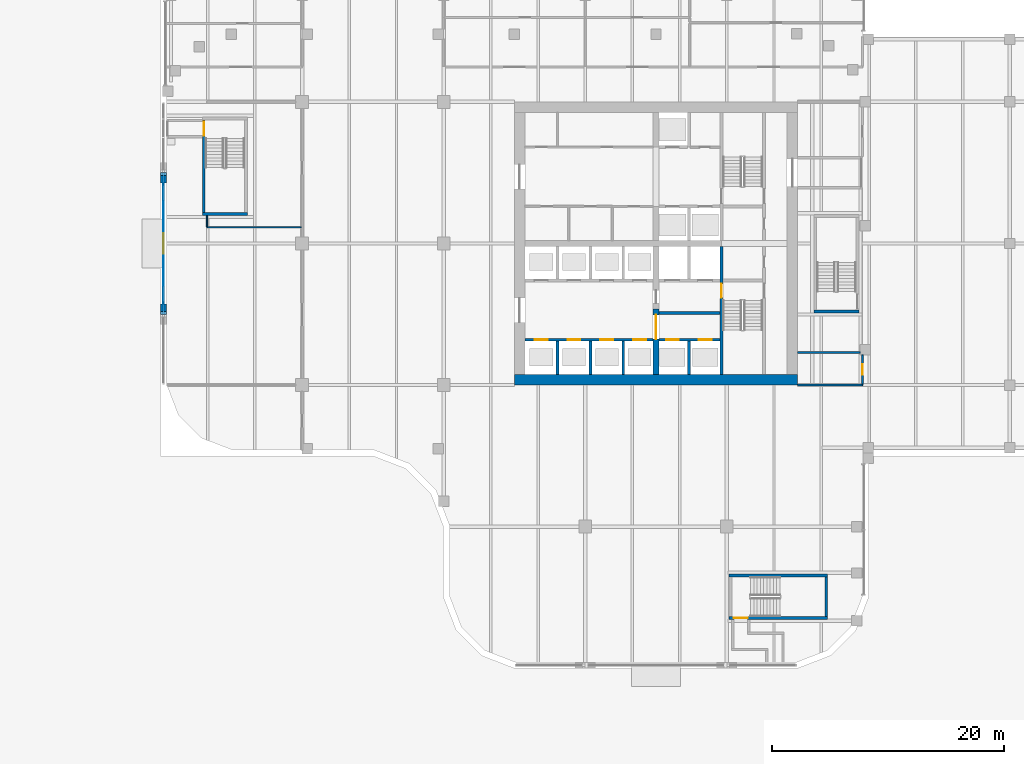
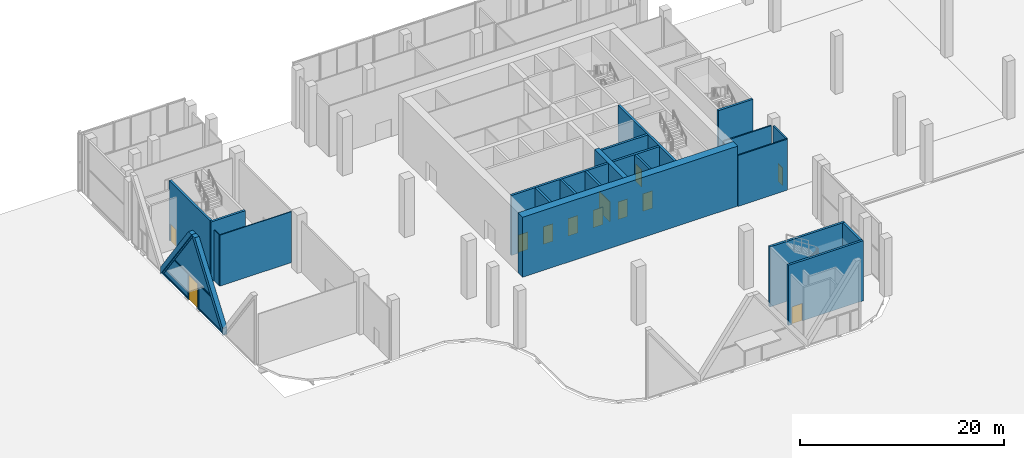
# One storey, part 18 of 36: 24 walls, 12 doors, 3 plates, 15 openings.
"""IFC4 building model written with IfcOpenShell, lengths in metres."""

from ifc_helpers import new_model, si_unit, direction, frame, frame_2d, origin, place, context, subcontext, project, spatial, polyline, rectangle, outline, extrude, faceted_brep, source, transform, mapped, material, layer, layer_set, type_object, element, fill, save


model = new_model("IFC4")

# Units and contexts
model_context = context("Model", 3, precision=1e-05, world=origin(), true_north=direction((0.0, 1.0)))
body_context = subcontext(model_context, "Body", "Model", "MODEL_VIEW")
ifc_project = project(units=[si_unit("LENGTHUNIT", "METRE"), si_unit("AREAUNIT", "SQUARE_METRE"), si_unit("VOLUMEUNIT", "CUBIC_METRE"), si_unit("PLANEANGLEUNIT", "RADIAN"), si_unit("MASSUNIT", "GRAM", prefix="KILO")], contexts=[model_context])

# Site, building, storey
site_placement = place(None, origin())
site = spatial("IfcSite", under=ifc_project, at=site_placement, CompositionType="ELEMENT")
building_placement = place(site_placement, origin())
building = spatial("IfcBuilding", under=site, at=building_placement, Name="Tessera Gate Towers", CompositionType="ELEMENT")
storey_placement = place(building_placement, origin())
storey = spatial("IfcBuildingStorey", under=building, at=storey_placement, Name="L00", CompositionType="ELEMENT", Elevation=0.0)

# Wall, opening, door
ifc_material_1 = material(Name="Concrete C40/50", Category="concrete")
ifc_layer_1 = layer(ifc_material_1, 0.25)
ifc_layer_set_1 = layer_set([ifc_layer_1], Name="CORE ENCLOSURE WALL 250")
wall_type_1 = type_object("IfcWallType", Name="CORE ENCLOSURE WALL 250", PredefinedType="SOLIDWALL", material=ifc_layer_set_1)
wall_1_placement = place(storey_placement, frame((48.35009765625, 36.35009765625, 0.0), z_axis=(0.0, 0.0, 1.0), x_axis=(0.0, -1.0, 0.0)))
wall_1 = element("IfcWall", 1, at=wall_1_placement, inside=storey, type_object=wall_type_1, Name="L00 shaft and stair enclosure wall", PredefinedType="SOLIDWALL", context=body_context, shape_type="SweptSolid", body=[
    extrude(rectangle(XDim=11.050048828125, YDim=0.25, at=frame_2d((5.52490234375, 0.0))), origin(), (0.0, 0.0, 1.0), 7.199951171875),
])
shared_shape_1 = source(origin(), body_context, "Body", "SweptSolid", [
    extrude(rectangle(XDim=1.199951171875, YDim=2.10009765625, at=frame_2d((0.60009765625, 1.050048828125))), frame((0.0, 0.135009765625, 0.0), z_axis=(0.0, -1.0, 0.0), x_axis=(1.0, 0.0, 0.0)), (0.0, 0.0, 1.0), 0.27001953125),
])
opening_1_placement = place(wall_1_placement, frame((3.22509765625, 0.0, 0.0)))
opening_1 = element("IfcOpeningElement", 2, at=opening_1_placement, cuts=wall_1, Name="Opening SD-ST1-1", PredefinedType="OPENING", context=body_context, shape_type="MappedRepresentation", body=[
    mapped(shared_shape_1, transform((0.0, 0.0, 0.0), scale=1.0)),
])
ifc_material_2 = material(Name="Hollow steel fire door", Category="steel")
door_type_1 = type_object("IfcDoorType", Name="CORE DOOR SD 1200x2100", OperationType="NOTDEFINED", PredefinedType="DOOR", material=ifc_material_2)
shared_shape_2 = source(origin(), body_context, "Body", "SweptSolid", [
    extrude(rectangle(XDim=1.199951171875, YDim=2.10009765625, at=frame_2d((0.60009765625, 1.050048828125))), frame((0.0, 0.02490234375, 0.0), z_axis=(0.0, -1.0, 0.0), x_axis=(1.0, 0.0, 0.0)), (0.0, 0.0, 1.0), 0.050048828125),
])
door_1_placement = place(opening_1_placement, origin())
door_1 = element("IfcDoor", 3, at=door_1_placement, inside=storey, type_object=door_type_1, Name="Stair door", OperationType="SINGLE_SWING_LEFT", OverallHeight=2.10009765625, OverallWidth=1.199951171875, PredefinedType="DOOR", context=body_context, shape_type="MappedRepresentation", body=[
    mapped(shared_shape_2, transform((0.0, 0.0, 0.0), scale=1.0)),
])
fill(opening_1, door_1)

# Wall, openings, doors
wall_2_placement = place(storey_placement, frame((31.39990234375, 28.300048828125, 0.0), z_axis=(0.0, 0.0, 1.0), x_axis=(1.0, 0.0, 0.0)))
wall_2 = element("IfcWall", 4, at=wall_2_placement, inside=storey, type_object=wall_type_1, Name="L00 shaft and stair enclosure wall", PredefinedType="SOLIDWALL", context=body_context, shape_type="SweptSolid", body=[
    extrude(rectangle(XDim=11.050048828125, YDim=0.25, at=frame_2d((5.52490234375, 0.0))), origin(), (0.0, 0.0, 1.0), 7.199951171875),
])
shared_shape_3 = source(origin(), body_context, "Body", "SweptSolid", [
    extrude(rectangle(XDim=1.10009765625, YDim=2.10009765625, at=frame_2d((0.550048828125, 1.050048828125))), frame((0.0, 0.135009765625, 0.0), z_axis=(0.0, -1.0, 0.0), x_axis=(1.0, 0.0, 0.0)), (0.0, 0.0, 1.0), 0.27001953125),
])
opening_2_placement = place(wall_2_placement, frame((0.862548828125, 0.0, 0.0)))
opening_2 = element("IfcOpeningElement", 5, at=opening_2_placement, cuts=wall_2, Name="Opening LD-LR1", PredefinedType="OPENING", context=body_context, shape_type="MappedRepresentation", body=[
    mapped(shared_shape_3, transform((0.0, 0.0, 0.0), scale=1.0)),
])
opening_3_placement = place(wall_2_placement, frame((3.6875, 0.0, 0.0)))
opening_3 = element("IfcOpeningElement", 6, at=opening_3_placement, cuts=wall_2, Name="Opening LD-LR2", PredefinedType="OPENING", context=body_context, shape_type="MappedRepresentation", body=[
    mapped(shared_shape_3, transform((0.0, 0.0, 0.0), scale=1.0)),
])
opening_4_placement = place(wall_2_placement, frame((6.512451171875, 0.0, 0.0)))
opening_4 = element("IfcOpeningElement", 7, at=opening_4_placement, cuts=wall_2, Name="Opening LD-LR3", PredefinedType="OPENING", context=body_context, shape_type="MappedRepresentation", body=[
    mapped(shared_shape_3, transform((0.0, 0.0, 0.0), scale=1.0)),
])
opening_5_placement = place(wall_2_placement, frame((9.33740234375, 0.0, 0.0)))
opening_5 = element("IfcOpeningElement", 8, at=opening_5_placement, cuts=wall_2, Name="Opening LD-LR4", PredefinedType="OPENING", context=body_context, shape_type="MappedRepresentation", body=[
    mapped(shared_shape_3, transform((0.0, 0.0, 0.0), scale=1.0)),
])
ifc_material_3 = material(Name="Stainless steel", Category="steel")
door_type_2 = type_object("IfcDoorType", Name="CORE DOOR LD 1100x2100", OperationType="DOUBLE_DOOR_SLIDING", PredefinedType="DOOR", material=ifc_material_3)
shared_shape_4 = source(origin(), body_context, "Body", "SweptSolid", [
    extrude(rectangle(XDim=1.10009765625, YDim=2.10009765625, at=frame_2d((0.550048828125, 1.050048828125))), frame((0.0, 0.02490234375, 0.0), z_axis=(0.0, -1.0, 0.0), x_axis=(1.0, 0.0, 0.0)), (0.0, 0.0, 1.0), 0.050048828125),
])
door_2_placement = place(opening_2_placement, origin())
door_2 = element("IfcDoor", 9, at=door_2_placement, inside=storey, type_object=door_type_2, Name="Landing door LR1 L00", OperationType="DOUBLE_DOOR_SLIDING", OverallHeight=2.10009765625, OverallWidth=1.10009765625, PredefinedType="DOOR", context=body_context, shape_type="MappedRepresentation", body=[
    mapped(shared_shape_4, transform((0.0, 0.0, 0.0), scale=1.0)),
])
fill(opening_2, door_2)
door_3_placement = place(opening_3_placement, origin())
door_3 = element("IfcDoor", 10, at=door_3_placement, inside=storey, type_object=door_type_2, Name="Landing door LR2 L00", OperationType="DOUBLE_DOOR_SLIDING", OverallHeight=2.10009765625, OverallWidth=1.10009765625, PredefinedType="DOOR", context=body_context, shape_type="MappedRepresentation", body=[
    mapped(shared_shape_4, transform((0.0, 0.0, 0.0), scale=1.0)),
])
fill(opening_3, door_3)
door_4_placement = place(opening_4_placement, origin())
door_4 = element("IfcDoor", 11, at=door_4_placement, inside=storey, type_object=door_type_2, Name="Landing door LR3 L00", OperationType="DOUBLE_DOOR_SLIDING", OverallHeight=2.10009765625, OverallWidth=1.10009765625, PredefinedType="DOOR", context=body_context, shape_type="MappedRepresentation", body=[
    mapped(shared_shape_4, transform((0.0, 0.0, 0.0), scale=1.0)),
])
fill(opening_4, door_4)
door_5_placement = place(opening_5_placement, origin())
door_5 = element("IfcDoor", 12, at=door_5_placement, inside=storey, type_object=door_type_2, Name="Landing door LR4 L00", OperationType="DOUBLE_DOOR_SLIDING", OverallHeight=2.10009765625, OverallWidth=1.10009765625, PredefinedType="DOOR", context=body_context, shape_type="MappedRepresentation", body=[
    mapped(shared_shape_4, transform((0.0, 0.0, 0.0), scale=1.0)),
])
fill(opening_5, door_5)

wall_3_placement = place(storey_placement, frame((42.949951171875, 28.300048828125, 0.0), z_axis=(0.0, 0.0, 1.0), x_axis=(1.0, 0.0, 0.0)))
wall_3 = element("IfcWall", 13, at=wall_3_placement, inside=storey, type_object=wall_type_1, Name="L00 shaft and stair enclosure wall", PredefinedType="SOLIDWALL", context=body_context, shape_type="SweptSolid", body=[
    extrude(rectangle(XDim=5.275146484375, YDim=0.25, at=frame_2d((2.6376953125, 0.0))), origin(), (0.0, 0.0, 1.0), 7.199951171875),
])
opening_6_placement = place(wall_3_placement, frame((0.612548828125, 0.0, 0.0)))
opening_6 = element("IfcOpeningElement", 14, at=opening_6_placement, cuts=wall_3, Name="Opening LD-OB1", PredefinedType="OPENING", context=body_context, shape_type="MappedRepresentation", body=[
    mapped(shared_shape_3, transform((0.0, 0.0, 0.0), scale=1.0)),
])
opening_7_placement = place(wall_3_placement, frame((3.4375, 0.0, 0.0)))
opening_7 = element("IfcOpeningElement", 15, at=opening_7_placement, cuts=wall_3, Name="Opening LD-OB2", PredefinedType="OPENING", context=body_context, shape_type="MappedRepresentation", body=[
    mapped(shared_shape_3, transform((0.0, 0.0, 0.0), scale=1.0)),
])
door_6_placement = place(opening_6_placement, origin())
door_6 = element("IfcDoor", 16, at=door_6_placement, inside=storey, type_object=door_type_2, Name="Landing door OB1 L00", OperationType="DOUBLE_DOOR_SLIDING", OverallHeight=2.10009765625, OverallWidth=1.10009765625, PredefinedType="DOOR", context=body_context, shape_type="MappedRepresentation", body=[
    mapped(shared_shape_4, transform((0.0, 0.0, 0.0), scale=1.0)),
])
fill(opening_6, door_6)
door_7_placement = place(opening_7_placement, origin())
door_7 = element("IfcDoor", 17, at=door_7_placement, inside=storey, type_object=door_type_2, Name="Landing door OB2 L00", OperationType="DOUBLE_DOOR_SLIDING", OverallHeight=2.10009765625, OverallWidth=1.10009765625, PredefinedType="DOOR", context=body_context, shape_type="MappedRepresentation", body=[
    mapped(shared_shape_4, transform((0.0, 0.0, 0.0), scale=1.0)),
])
fill(opening_7, door_7)

# Walls
wall_4_placement = place(storey_placement, frame((42.949951171875, 30.60009765625, 0.0), z_axis=(0.0, 0.0, 1.0), x_axis=(1.0, 0.0, 0.0)))
element("IfcWall", 18, at=wall_4_placement, inside=storey, type_object=wall_type_1, Name="L00 shaft and stair enclosure wall", PredefinedType="SOLIDWALL", context=body_context, shape_type="SweptSolid", body=[
    extrude(rectangle(XDim=5.275146484375, YDim=0.25, at=frame_2d((2.6376953125, 0.0))), origin(), (0.0, 0.0, 1.0), 7.199951171875),
])
for number, where, z_axis, x_axis, name in (
    (19, (34.22509765625, 25.300048828125, 0.0), (0.0, 0.0, 1.0), (0.0, 1.0, 0.0), "L00 shaft and stair enclosure wall"),
    (20, (37.050048828125, 25.300048828125, 0.0), (0.0, 0.0, 1.0), (0.0, 1.0, 0.0), "L00 shaft and stair enclosure wall"),
    (21, (39.875, 25.300048828125, 0.0), (0.0, 0.0, 1.0), (0.0, 1.0, 0.0), "L00 shaft and stair enclosure wall"),
    (22, (45.52490234375, 25.300048828125, 0.0), (0.0, 0.0, 1.0), (0.0, 1.0, 0.0), "L00 shaft and stair enclosure wall"),
):
    element("IfcWall", number, at=place(storey_placement, frame(where, z_axis=z_axis, x_axis=x_axis)), inside=storey, type_object=wall_type_1, Name=name, PredefinedType="SOLIDWALL", context=body_context, shape_type="SweptSolid", body=[
        extrude(rectangle(XDim=2.875, YDim=0.25, at=frame_2d((1.4375, 0.0))), origin(), (0.0, 0.0, 1.0), 7.199951171875),
    ])
wall_5_placement = place(storey_placement, frame((7.5, 39.125, 0.0), z_axis=(0.0, 0.0, 1.0), x_axis=(-1.0, 0.0, 0.0)))
element("IfcWall", 23, at=wall_5_placement, inside=storey, type_object=wall_type_1, Name="L00 ST3 enclosure wall", PredefinedType="SOLIDWALL", context=body_context, shape_type="SweptSolid", body=[
    extrude(rectangle(XDim=3.89990234375, YDim=0.25, at=frame_2d((1.949951171875, 0.0))), origin(), (0.0, 0.0, 1.0), 7.199951171875),
])

# Wall, opening, door
wall_6_placement = place(storey_placement, frame((3.72509765625, 39.25, 0.0), z_axis=(0.0, 0.0, 1.0), x_axis=(0.0, 1.0, 0.0)))
wall_6 = element("IfcWall", 24, at=wall_6_placement, inside=storey, type_object=wall_type_1, Name="L00 ST3 enclosure wall", PredefinedType="SOLIDWALL", context=body_context, shape_type="SweptSolid", body=[
    extrude(rectangle(XDim=8.0, YDim=0.25, at=frame_2d((4.0, 0.0))), origin(), (0.0, 0.0, 1.0), 7.199951171875),
])
opening_8_placement = place(wall_6_placement, frame((6.64990234375, 0.0, 0.0)))
opening_8 = element("IfcOpeningElement", 25, at=opening_8_placement, cuts=wall_6, Name="Opening SD-ST3-1", PredefinedType="OPENING", context=body_context, shape_type="MappedRepresentation", body=[
    mapped(shared_shape_1, transform((0.0, 0.0, 0.0), scale=1.0)),
])
door_8_placement = place(opening_8_placement, origin())
door_8 = element("IfcDoor", 26, at=door_8_placement, inside=storey, type_object=door_type_1, Name="Stair door", OperationType="SINGLE_SWING_RIGHT", OverallHeight=2.10009765625, OverallWidth=1.199951171875, PredefinedType="DOOR", context=body_context, shape_type="MappedRepresentation", body=[
    mapped(shared_shape_2, transform((0.0, 0.0, 0.0), scale=1.0)),
])
fill(opening_8, door_8)

wall_7_placement = place(storey_placement, frame((57.5, 4.324951171875, 0.0), z_axis=(0.0, 0.0, 1.0), x_axis=(-1.0, 0.0, 0.0)))
wall_7 = element("IfcWall", 27, at=wall_7_placement, inside=storey, type_object=wall_type_1, Name="L00 ST4 enclosure wall", PredefinedType="SOLIDWALL", context=body_context, shape_type="SweptSolid", body=[
    extrude(rectangle(XDim=8.5, YDim=0.25, at=frame_2d((4.25, 0.0))), origin(), (0.0, 0.0, 1.0), 7.199951171875),
])
opening_9_placement = place(wall_7_placement, frame((6.89990234375, 0.0, 0.0)))
opening_9 = element("IfcOpeningElement", 28, at=opening_9_placement, cuts=wall_7, Name="Opening SD-ST4-1", PredefinedType="OPENING", context=body_context, shape_type="MappedRepresentation", body=[
    mapped(shared_shape_1, transform((0.0, 0.0, 0.0), scale=1.0)),
])
door_9_placement = place(opening_9_placement, origin())
door_9 = element("IfcDoor", 29, at=door_9_placement, inside=storey, type_object=door_type_1, Name="Stair door", OperationType="SINGLE_SWING_RIGHT", OverallHeight=2.10009765625, OverallWidth=1.199951171875, PredefinedType="DOOR", context=body_context, shape_type="MappedRepresentation", body=[
    mapped(shared_shape_2, transform((0.0, 0.0, 0.0), scale=1.0)),
])
fill(opening_9, door_9)

# Walls
wall_8_placement = place(storey_placement, frame((49.0, 7.97509765625, 0.0), z_axis=(0.0, 0.0, 1.0), x_axis=(1.0, 0.0, 0.0)))
element("IfcWall", 30, at=wall_8_placement, inside=storey, type_object=wall_type_1, Name="L00 ST4 enclosure wall", PredefinedType="SOLIDWALL", context=body_context, shape_type="SweptSolid", body=[
    extrude(rectangle(XDim=8.5, YDim=0.25, at=frame_2d((4.25, 0.0))), origin(), (0.0, 0.0, 1.0), 7.199951171875),
])
wall_9_placement = place(storey_placement, frame((57.375, 7.85009765625, 0.0), z_axis=(0.0, 0.0, 1.0), x_axis=(0.0, -1.0, 0.0)))
element("IfcWall", 31, at=wall_9_placement, inside=storey, type_object=wall_type_1, Name="L00 ST4 enclosure wall", PredefinedType="SOLIDWALL", context=body_context, shape_type="SweptSolid", body=[
    extrude(rectangle(XDim=3.400146484375, YDim=0.25, at=frame_2d((1.7001953125, 0.0))), origin(), (0.0, 0.0, 1.0), 7.199951171875),
])
wall_10_placement = place(storey_placement, frame((60.199951171875, 30.72509765625, 0.0), z_axis=(0.0, 0.0, 1.0), x_axis=(-1.0, 0.0, 0.0)))
element("IfcWall", 32, at=wall_10_placement, inside=storey, type_object=wall_type_1, Name="L00 ST5 enclosure wall", PredefinedType="SOLIDWALL", context=body_context, shape_type="SweptSolid", body=[
    extrude(rectangle(XDim=3.89990234375, YDim=0.25, at=frame_2d((1.949951171875, 0.0))), origin(), (0.0, 0.0, 1.0), 7.199951171875),
])
ifc_material_4 = material(Name="Concrete C70/85", Category="concrete")
ifc_layer_2 = layer(ifc_material_4, 0.89990234375)
ifc_layer_set_2 = layer_set([ifc_layer_2], Name="CORE SHEAR WALL 900 C70/85")
wall_type_2 = type_object("IfcWallType", Name="CORE SHEAR WALL 900 C70/85", PredefinedType="SHEAR", material=ifc_layer_set_2)
wall_11_placement = place(storey_placement, frame((54.89990234375, 24.85009765625, 0.0), z_axis=(0.0, 0.0, 1.0), x_axis=(-1.0, 0.0, 0.0)))
element("IfcWall", 33, at=wall_11_placement, inside=storey, type_object=wall_type_2, Name="Core wall S L00", PredefinedType="SHEAR", context=body_context, shape_type="SweptSolid", body=[
    extrude(rectangle(XDim=24.39990234375, YDim=0.89990234375, at=frame_2d((12.199951171875, 0.0))), origin(), (0.0, 0.0, 1.0), 7.199951171875),
])

# Wall, opening, door
ifc_material_5 = material(Name="Concrete C70/85", Category="concrete")
ifc_layer_3 = layer(ifc_material_5, 0.5)
ifc_layer_set_3 = layer_set([ifc_layer_3], Name="CORE SPINE WALL 500 C70/85")
wall_type_3 = type_object("IfcWallType", Name="CORE SPINE WALL 500 C70/85", PredefinedType="SHEAR", material=ifc_layer_set_3)
wall_12_placement = place(storey_placement, frame((42.699951171875, 25.300048828125, 0.0), z_axis=(0.0, 0.0, 1.0), x_axis=(0.0, 1.0, 0.0)))
wall_12 = element("IfcWall", 34, at=wall_12_placement, inside=storey, type_object=wall_type_3, Name="Core wall spine L00", PredefinedType="SHEAR", context=body_context, shape_type="SweptSolid", body=[
    extrude(rectangle(XDim=5.64990234375, YDim=0.5, at=frame_2d((2.824951171875, 0.0))), origin(), (0.0, 0.0, 1.0), 7.199951171875),
])
shared_shape_5 = source(origin(), body_context, "Body", "SweptSolid", [
    extrude(rectangle(XDim=2.10009765625, YDim=2.39990234375, at=frame_2d((1.050048828125, 1.199951171875))), frame((0.0, 0.260009765625, 0.0), z_axis=(0.0, -1.0, 0.0), x_axis=(1.0, 0.0, 0.0)), (0.0, 0.0, 1.0), 0.52001953125),
])
opening_10_placement = place(wall_12_placement, frame((3.050048828125, 0.0, 0.0)))
opening_10 = element("IfcOpeningElement", 35, at=opening_10_placement, cuts=wall_12, Name="Opening DD-T1-02-04", PredefinedType="OPENING", context=body_context, shape_type="MappedRepresentation", body=[
    mapped(shared_shape_5, transform((0.0, 0.0, 0.0), scale=1.0)),
])
ifc_material_6 = material(Name="Hollow steel fire door", Category="steel")
door_type_3 = type_object("IfcDoorType", Name="CORE DOOR DD 2100x2400", OperationType="NOTDEFINED", PredefinedType="DOOR", material=ifc_material_6)
shared_shape_6 = source(origin(), body_context, "Body", "SweptSolid", [
    extrude(rectangle(XDim=2.10009765625, YDim=2.39990234375, at=frame_2d((1.050048828125, 1.199951171875))), frame((0.0, 0.02490234375, 0.0), z_axis=(0.0, -1.0, 0.0), x_axis=(1.0, 0.0, 0.0)), (0.0, 0.0, 1.0), 0.050048828125),
])
door_10_placement = place(opening_10_placement, origin())
door_10 = element("IfcDoor", 36, at=door_10_placement, inside=storey, type_object=door_type_3, Name="Lift lobby door", OperationType="DOUBLE_DOOR_SINGLE_SWING", OverallHeight=2.39990234375, OverallWidth=2.10009765625, PredefinedType="DOOR", context=body_context, shape_type="MappedRepresentation", body=[
    mapped(shared_shape_6, transform((0.0, 0.0, 0.0), scale=1.0)),
])
fill(opening_10, door_10)

# Wall
ifc_material_7 = material(Name="Gypsum board on steel studs, mineral wool", Category="steel")
ifc_layer_4 = layer(ifc_material_7, 0.14990234375)
ifc_layer_set_4 = layer_set([ifc_layer_4], Name="CORRIDOR WALL 150")
wall_type_4 = type_object("IfcWallType", Name="CORRIDOR WALL 150", PredefinedType="PARTITIONING", material=ifc_layer_set_4)
wall_13_placement = place(storey_placement, frame((54.89990234375, 24.39990234375, 0.0), z_axis=(0.0, 0.0, 1.0), x_axis=(1.0, 0.0, 0.0)))
element("IfcWall", 37, at=wall_13_placement, inside=storey, type_object=wall_type_4, Name="PODIUM-L00-PW-005", PredefinedType="PARTITIONING", context=body_context, shape_type="SweptSolid", body=[
    extrude(rectangle(XDim=5.60009765625, YDim=0.14990234375, at=frame_2d((2.800048828125, 0.0))), origin(), (0.0, 0.0, 1.0), 6.114990234375),
])

# Wall, opening, door
wall_14_placement = place(storey_placement, frame((60.5, 24.47607421875, 0.0), z_axis=(0.0, 0.0, 1.0), x_axis=(0.0, 1.0, 0.0)))
wall_14 = element("IfcWall", 38, at=wall_14_placement, inside=storey, type_object=wall_type_4, Name="PODIUM-L00-PW-008", PredefinedType="PARTITIONING", context=body_context, shape_type="SweptSolid", body=[
    extrude(rectangle(XDim=2.52294921875, YDim=0.14990234375, at=frame_2d((1.261474609375, 0.0))), origin(), (0.0, 0.0, 1.0), 6.114990234375),
])
shared_shape_7 = source(origin(), body_context, "Body", "SweptSolid", [
    extrude(rectangle(XDim=0.89990234375, YDim=2.10009765625, at=frame_2d((0.449951171875, 1.050048828125))), frame((0.0, 0.0849609375, 0.0), z_axis=(0.0, -1.0, 0.0), x_axis=(1.0, 0.0, 0.0)), (0.0, 0.0, 1.0), 0.169921875),
])
opening_11_placement = place(wall_14_placement, frame((0.800048828125, 0.0, 0.0)))
opening_11 = element("IfcOpeningElement", 39, at=opening_11_placement, cuts=wall_14, Name="Opening D890FD60-P01-01", PredefinedType="OPENING", context=body_context, shape_type="MappedRepresentation", body=[
    mapped(shared_shape_7, transform((0.0, 0.0, 0.0), scale=1.0)),
])
ifc_material_8 = material(Name="Timber door leaf in steel frame", Category="steel")
door_type_4 = type_object("IfcDoorType", Name="CORRIDOR DOOR 900 FD60", OperationType="NOTDEFINED", PredefinedType="DOOR", material=ifc_material_8)
shared_shape_8 = source(origin(), body_context, "Body", "SweptSolid", [
    extrude(rectangle(XDim=0.89990234375, YDim=2.10009765625, at=frame_2d((0.449951171875, 1.050048828125))), frame((0.0, 0.02490234375, 0.0), z_axis=(0.0, -1.0, 0.0), x_axis=(1.0, 0.0, 0.0)), (0.0, 0.0, 1.0), 0.050048828125),
])
door_11_placement = place(opening_11_placement, origin())
door_11 = element("IfcDoor", 40, at=door_11_placement, inside=storey, type_object=door_type_4, Name="PODIUM-L00-PD-001", OperationType="SINGLE_SWING_LEFT", OverallHeight=2.10009765625, OverallWidth=0.89990234375, PredefinedType="DOOR", context=body_context, shape_type="MappedRepresentation", body=[
    mapped(shared_shape_8, transform((0.0, 0.0, 0.0), scale=1.0)),
])
fill(opening_11, door_11)

# Walls
wall_15_placement = place(storey_placement, frame((54.89990234375, 27.199951171875, 0.0), z_axis=(0.0, 0.0, 1.0), x_axis=(1.0, 0.0, 0.0)))
element("IfcWall", 41, at=wall_15_placement, inside=storey, type_object=wall_type_4, Name="PODIUM-L00-PW-011", PredefinedType="PARTITIONING", context=body_context, shape_type="SweptSolid", body=[
    extrude(rectangle(XDim=5.399169921875, YDim=0.14990234375, at=frame_2d((2.69970703125, 0.0))), origin(), (0.0, 0.0, 1.0), 6.114990234375),
])
ifc_material_9 = material(Name="Gypsum board on steel studs", Category="steel")
ifc_layer_5 = layer(ifc_material_9, 0.10009765625)
ifc_layer_set_5 = layer_set([ifc_layer_5], Name="PARTITION 100")
wall_type_5 = type_object("IfcWallType", Name="PARTITION 100", PredefinedType="PARTITIONING", material=ifc_layer_set_5)
wall_16_placement = place(storey_placement, frame((4.0, 38.0, 0.0), z_axis=(0.0, 0.0, 1.0), x_axis=(1.0, 0.0, 0.0)))
element("IfcWall", 42, at=wall_16_placement, inside=storey, type_object=wall_type_5, Name="PODIUM-L00-PW-013", PredefinedType="PARTITIONING", context=body_context, shape_type="SweptSolid", body=[
    extrude(rectangle(XDim=8.1240234375, YDim=0.10009765625, at=frame_2d((4.06201171875, 0.0))), origin(), (0.0, 0.0, 1.0), 6.114990234375),
])
wall_17_placement = place(storey_placement, frame((4.0, 38.051025390625, 0.0), z_axis=(0.0, 0.0, 1.0), x_axis=(0.0, 1.0, 0.0)))
element("IfcWall", 43, at=wall_17_placement, inside=storey, type_object=wall_type_5, Name="PODIUM-L00-PW-014", PredefinedType="PARTITIONING", context=body_context, shape_type="SweptSolid", body=[
    extrude(rectangle(XDim=0.948974609375, YDim=0.10009765625, at=frame_2d((0.474609375, 0.0))), origin(), (0.0, 0.0, 1.0), 6.114990234375),
])

# Wall, openings, plates, door
ifc_material_10 = material(Name="Aluminium storefront glazing", Category="aluminium")
ifc_layer_6 = layer(ifc_material_10, 0.199951171875)
ifc_layer_set_6 = layer_set([ifc_layer_6], Name="WS1 storefront wall")
wall_type_6 = type_object("IfcWallType", Name="WS1 storefront wall", PredefinedType="PARTITIONING", material=ifc_layer_set_6)
shared_shape_9 = source(origin(), body_context, "Body", "SweptSolid", [
    extrude(outline(polyline([(0.0, 0.0), (12.199951171875, 0.0), (6.10009765625, 8.39990234375), (0.0, 0.0)])), frame((0.0, 0.10009765625, 0.0), z_axis=(0.0, -1.0, 0.0), x_axis=(1.0, 0.0, 0.0)), (0.0, 0.0, 1.0), 0.199951171875),
])
wall_18_placement = place(storey_placement, frame((0.25, 42.699951171875, 0.0), z_axis=(0.0, 0.0, 1.0), x_axis=(0.0, -1.0, 0.0)))
wall_18 = element("IfcWall", 44, at=wall_18_placement, inside=storey, type_object=wall_type_6, Name="Storefront wall T1 WS1-0008", PredefinedType="PARTITIONING", context=body_context, shape_type="MappedRepresentation", body=[
    mapped(shared_shape_9, transform((0.0, 0.0, 0.0), scale=1.0)),
])
shared_shape_10 = source(origin(), body_context, "Body", "SweptSolid", [
    extrude(rectangle(XDim=1.800048828125, YDim=3.0, at=frame_2d((0.89990234375, 1.5))), frame((0.0, 0.10986328125, 0.0), z_axis=(0.0, -1.0, 0.0), x_axis=(1.0, 0.0, 0.0)), (0.0, 0.0, 1.0), 0.219970703125),
])
opening_12_placement = place(wall_18_placement, frame((5.199951171875, 0.0, 0.0)))
opening_12 = element("IfcOpeningElement", 45, at=opening_12_placement, cuts=wall_18, Name="Opening D-E104", PredefinedType="OPENING", context=body_context, shape_type="MappedRepresentation", body=[
    mapped(shared_shape_10, transform((0.0, 0.0, 0.0), scale=1.0)),
])
shared_shape_11 = source(origin(), body_context, "Body", "SweptSolid", [
    extrude(outline(polyline([(9.7490234375, 3.1201171875), (6.10009765625, 8.144775390625), (2.451171875, 3.1201171875), (9.7490234375, 3.1201171875)])), frame((0.0, 0.10986328125, 0.0), z_axis=(0.0, -1.0, 0.0), x_axis=(1.0, 0.0, 0.0)), (0.0, 0.0, 1.0), 0.219970703125),
])
opening_13_placement = place(wall_18_placement, origin())
opening_13 = element("IfcOpeningElement", 46, at=opening_13_placement, cuts=wall_18, Name="Opening T1-PL3-0011", PredefinedType="OPENING", context=body_context, shape_type="MappedRepresentation", body=[
    mapped(shared_shape_11, transform((0.0, 0.0, 0.0), scale=1.0)),
])
shared_shape_12 = source(origin(), body_context, "Body", "SweptSolid", [
    extrude(outline(polyline([(0.294189453125, 0.14990234375), (5.080078125, 0.14990234375), (5.080078125, 3.0), (2.364013671875, 3.0), (0.294189453125, 0.14990234375)])), frame((0.0, 0.10986328125, 0.0), z_axis=(0.0, -1.0, 0.0), x_axis=(1.0, 0.0, 0.0)), (0.0, 0.0, 1.0), 0.219970703125),
])
opening_14_placement = place(wall_18_placement, origin())
opening_14 = element("IfcOpeningElement", 47, at=opening_14_placement, cuts=wall_18, Name="Opening T1-PL3-0012", PredefinedType="OPENING", context=body_context, shape_type="MappedRepresentation", body=[
    mapped(shared_shape_12, transform((0.0, 0.0, 0.0), scale=1.0)),
])
shared_shape_13 = source(origin(), body_context, "Body", "SweptSolid", [
    extrude(outline(polyline([(7.1201171875, 0.14990234375), (11.90576171875, 0.14990234375), (9.8359375, 3.0), (7.1201171875, 3.0), (7.1201171875, 0.14990234375)])), frame((0.0, 0.10986328125, 0.0), z_axis=(0.0, -1.0, 0.0), x_axis=(1.0, 0.0, 0.0)), (0.0, 0.0, 1.0), 0.219970703125),
])
opening_15_placement = place(wall_18_placement, origin())
opening_15 = element("IfcOpeningElement", 48, at=opening_15_placement, cuts=wall_18, Name="Opening T1-PL3-0013", PredefinedType="OPENING", context=body_context, shape_type="MappedRepresentation", body=[
    mapped(shared_shape_13, transform((0.0, 0.0, 0.0), scale=1.0)),
])
ifc_material_11 = material(Name="Low-e laminated glass", Category="glass")
ifc_layer_7 = layer(ifc_material_11, 0.06005859375)
ifc_layer_set_7 = layer_set([ifc_layer_7], Name="PL3 storefront pane")
plate_type = type_object("IfcPlateType", Name="PL3 storefront pane", PredefinedType="SHEET", material=ifc_layer_set_7)
shared_shape_14 = source(origin(), body_context, "Body", "SweptSolid", [
    extrude(outline(polyline([(9.7490234375, 3.1201171875), (6.10009765625, 8.144775390625), (2.451171875, 3.1201171875), (9.7490234375, 3.1201171875)])), frame((0.0, 0.030029296875, 0.0), z_axis=(0.0, -1.0, 0.0), x_axis=(1.0, 0.0, 0.0)), (0.0, 0.0, 1.0), 0.06005859375),
])
plate_1_placement = place(opening_13_placement, origin())
plate_1 = element("IfcPlate", 49, at=plate_1_placement, inside=storey, type_object=plate_type, Name="Glass pane T1 PL3-0011", PredefinedType="SHEET", context=body_context, shape_type="MappedRepresentation", body=[
    mapped(shared_shape_14, transform((0.0, 0.0, 0.0), scale=1.0)),
])
fill(opening_13, plate_1)
shared_shape_15 = source(origin(), body_context, "Body", "SweptSolid", [
    extrude(outline(polyline([(0.294189453125, 0.14990234375), (5.080078125, 0.14990234375), (5.080078125, 3.0), (2.364013671875, 3.0), (0.294189453125, 0.14990234375)])), frame((0.0, 0.030029296875, 0.0), z_axis=(0.0, -1.0, 0.0), x_axis=(1.0, 0.0, 0.0)), (0.0, 0.0, 1.0), 0.06005859375),
])
plate_2_placement = place(opening_14_placement, origin())
plate_2 = element("IfcPlate", 50, at=plate_2_placement, inside=storey, type_object=plate_type, Name="Glass pane T1 PL3-0012", PredefinedType="SHEET", context=body_context, shape_type="MappedRepresentation", body=[
    mapped(shared_shape_15, transform((0.0, 0.0, 0.0), scale=1.0)),
])
fill(opening_14, plate_2)
shared_shape_16 = source(origin(), body_context, "Body", "SweptSolid", [
    extrude(outline(polyline([(7.1201171875, 0.14990234375), (11.90576171875, 0.14990234375), (9.8359375, 3.0), (7.1201171875, 3.0), (7.1201171875, 0.14990234375)])), frame((0.0, 0.030029296875, 0.0), z_axis=(0.0, -1.0, 0.0), x_axis=(1.0, 0.0, 0.0)), (0.0, 0.0, 1.0), 0.06005859375),
])
plate_3_placement = place(opening_15_placement, origin())
plate_3 = element("IfcPlate", 51, at=plate_3_placement, inside=storey, type_object=plate_type, Name="Glass pane T1 PL3-0013", PredefinedType="SHEET", context=body_context, shape_type="MappedRepresentation", body=[
    mapped(shared_shape_16, transform((0.0, 0.0, 0.0), scale=1.0)),
])
fill(opening_15, plate_3)
ifc_material_12 = material(Name="Aluminium storefront glazing", Category="aluminium")
ifc_layer_8 = layer(ifc_material_12, 0.050048828125)
ifc_layer_set_8 = layer_set([ifc_layer_8], Name="DL1 entrance door")
door_type_5 = type_object("IfcDoorType", Name="DL1 entrance door", OperationType="DOUBLE_DOOR_SINGLE_SWING", PredefinedType="DOOR", material=ifc_layer_set_8)
shared_shape_17 = source(origin(), body_context, "Body", "SweptSolid", [
    extrude(rectangle(XDim=1.800048828125, YDim=3.0, at=frame_2d((0.89990234375, 1.5))), frame((0.0, 0.02490234375, 0.0), z_axis=(0.0, -1.0, 0.0), x_axis=(1.0, 0.0, 0.0)), (0.0, 0.0, 1.0), 0.050048828125),
])
door_12_placement = place(opening_12_placement, origin())
door_12 = element("IfcDoor", 52, at=door_12_placement, inside=storey, type_object=door_type_5, Name="Entrance door D-E104", OperationType="DOUBLE_DOOR_SINGLE_SWING", OverallHeight=3.0, OverallWidth=1.800048828125, PredefinedType="DOOR", context=body_context, shape_type="MappedRepresentation", body=[
    mapped(shared_shape_17, transform((0.0, 0.0, 0.0), scale=1.0)),
])
fill(opening_12, door_12)

# Walls
ifc_material_13 = material(Name="Precast concrete C60/75 white", Category="concrete")
ifc_layer_9 = layer(ifc_material_13, 0.5)
ifc_layer_set_9 = layer_set([ifc_layer_9], Name="TB1 foot rib")
wall_type_7 = type_object("IfcWallType", Name="TB1 foot rib", PredefinedType="SOLIDWALL", material=ifc_layer_set_9)
shared_shape_18 = source(origin(), body_context, "Body", "Brep", [
    faceted_brep([(0.0, -0.25, 0.0), (6.099853515625, -0.25, 8.399658203125), (6.099853515625, -0.25, 8.39990234375), (5.482177734375, -0.25, 8.39990234375), (0.0, -0.25, 0.850830078125), (0.0, 0.25, 0.850830078125), (5.482177734375, 0.25, 8.39990234375), (6.099853515625, 0.25, 8.39990234375), (6.099853515625, 0.25, 8.399658203125), (0.0, 0.25, 0.0)], [[[0, 1, 2, 3, 4]], [[5, 6, 7, 8, 9]], [[9, 8, 1, 0]], [[7, 6, 3, 2]], [[6, 5, 4, 3]], [[5, 9, 0, 4]], [[1, 8, 7, 2]]]),
])
wall_19_placement = place(storey_placement, frame((0.25, 42.699951171875, 0.0), z_axis=(0.0, 0.0, 1.0), x_axis=(0.0, -1.0, 0.0)))
element("IfcWall", 53, at=wall_19_placement, inside=storey, type_object=wall_type_7, Name="Foot rib T1 TB1-0009", PredefinedType="SOLIDWALL", context=body_context, shape_type="MappedRepresentation", body=[
    mapped(shared_shape_18, transform((0.0, 0.0, 0.0), scale=1.0)),
])
shared_shape_19 = source(origin(), body_context, "Body", "SweptSolid", [
    extrude(outline(polyline([(0.0, 8.39990234375), (6.10009765625, 0.0), (6.10009765625, 0.850830078125), (0.617919921875, 8.39990234375), (0.0, 8.39990234375)])), frame((0.0, 0.25, 0.0), z_axis=(0.0, -1.0, 0.0), x_axis=(1.0, 0.0, 0.0)), (0.0, 0.0, 1.0), 0.5),
])
wall_20_placement = place(storey_placement, frame((0.25, 36.60009765625, 0.0), z_axis=(0.0, 0.0, 1.0), x_axis=(0.0, -1.0, 0.0)))
element("IfcWall", 54, at=wall_20_placement, inside=storey, type_object=wall_type_7, Name="Foot rib T1 TB1-0016", PredefinedType="SOLIDWALL", context=body_context, shape_type="MappedRepresentation", body=[
    mapped(shared_shape_19, transform((0.0, 0.0, 0.0), scale=1.0)),
])

save(model, "model.ifc")
